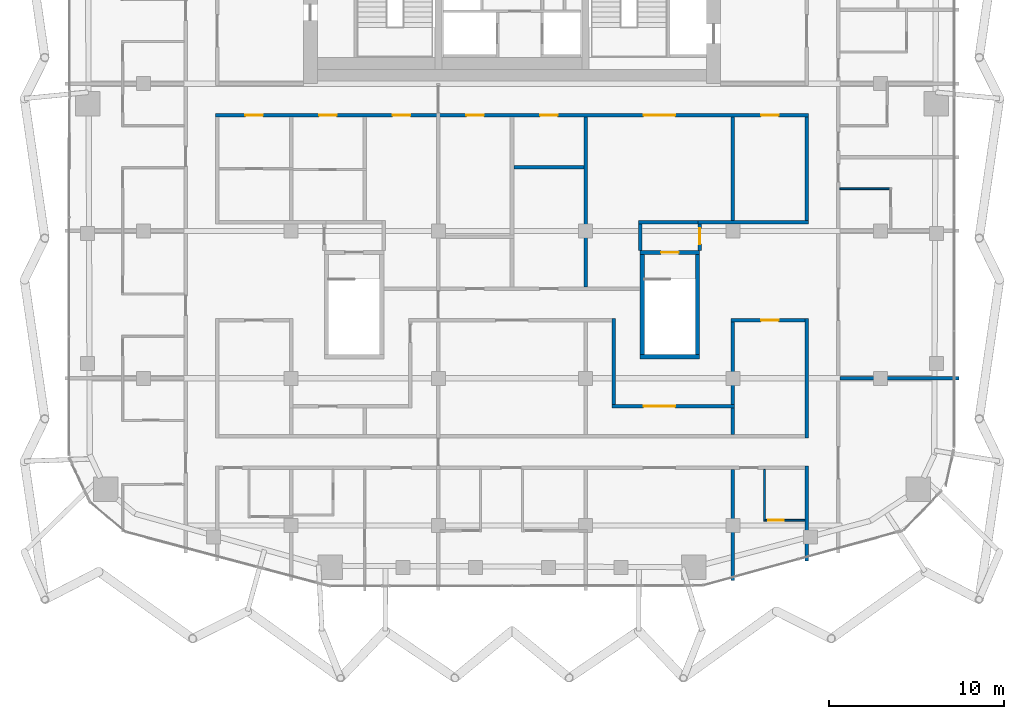
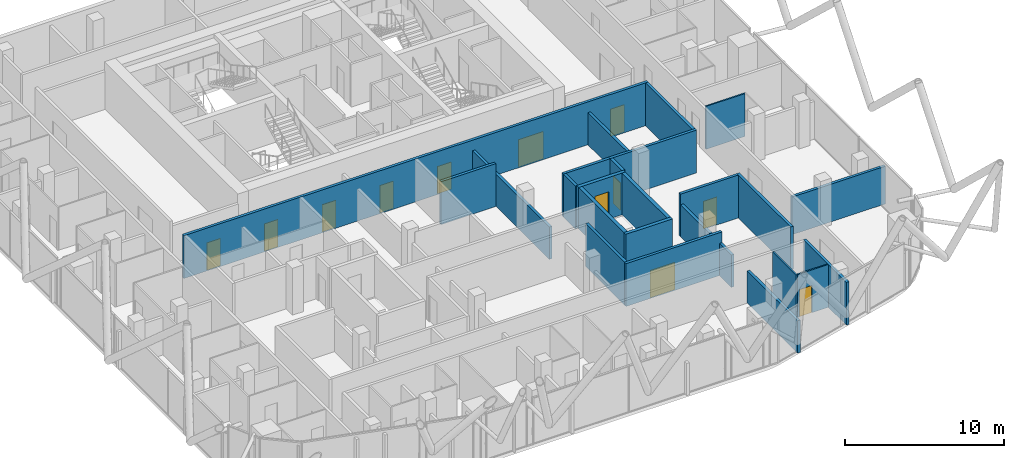
# One storey, part 27 of 33: 25 walls, 12 doors, 12 openings.
"""IFC4 building model written with IfcOpenShell, lengths in metres."""

import ifcopenshell
import ifcopenshell.guid

model = None  # the IFC model being written
_history = None  # IfcOwnerHistory: only IFC2X3 demands one
_inside = {}  # id of a spatial element -> (the spatial element, [elements in it])
_under = {}  # id of a project, library or spatial element -> (it, [spatial elements below it])
_declared = {}  # id of a project -> (the project, [libraries it declares])
_typed = {}  # id of a type object -> (the type object, [elements of that type])
_made_of = {}  # id of a material, layer set ... -> (it, [elements and type objects made of it])


def new_model(schema):
    """Start an empty IFC model of exactly this schema.

    Asked for "IFC4X3", IfcOpenShell would pick the latest addendum, in which some entities
    have other attributes; the version numbers below select the first issue.
    IFC2X3 requires an IfcOwnerHistory on every rooted entity: one is made here for all.
    """
    global model, _history
    if schema == "IFC4X3":
        model = ifcopenshell.file(schema_version=(4, 3, 0, 0))
    else:
        model = ifcopenshell.file(schema=schema)
    _inside.clear()
    _under.clear()
    _declared.clear()
    _typed.clear()
    _made_of.clear()
    _history = None
    if model.schema == "IFC2X3":
        org = make("IfcOrganization", Name="unknown")
        user = make(
            "IfcPersonAndOrganization",
            ThePerson=make("IfcPerson", FamilyName="unknown"),
            TheOrganization=org,
        )
        app = make(
            "IfcApplication",
            ApplicationDeveloper=org,
            Version="unknown",
            ApplicationFullName="unknown",
            ApplicationIdentifier="unknown",
        )
        _history = make(
            "IfcOwnerHistory",
            OwningUser=user,
            OwningApplication=app,
            ChangeAction="ADDED",
            CreationDate=0,
        )
    return model


def make(cls, **values):
    """One entity of the class cls with the attributes given. An attribute that is None is left unset."""
    return model.create_entity(
        cls, **{name: value for name, value in values.items() if value is not None}
    )


def rooted(cls, **values):
    """An entity with a GlobalId (a new one), such as an element, a storey or a relation."""
    return make(cls, GlobalId=ifcopenshell.guid.new(), OwnerHistory=_history, **values)


def si_unit(unit_type, name, prefix=None):
    """IfcSIUnit, for example si_unit("LENGTHUNIT", "METRE", prefix="MILLI")."""
    return make("IfcSIUnit", UnitType=unit_type, Prefix=prefix, Name=name)


def assignment(units):
    """IfcUnitAssignment: the units of a project."""
    return None if units is None else make("IfcUnitAssignment", Units=units)


def point(xyz):
    """IfcCartesianPoint."""
    return None if xyz is None else make("IfcCartesianPoint", Coordinates=xyz)


def direction(xyz):
    """IfcDirection."""
    return None if xyz is None else make("IfcDirection", DirectionRatios=xyz)


def frame(location, z_axis=None, x_axis=None):
    """IfcAxis2Placement3D, a coordinate frame: its origin and axes. An axis left out is left unset."""
    return make(
        "IfcAxis2Placement3D",
        Location=point(location),
        Axis=direction(z_axis),
        RefDirection=direction(x_axis),
    )


def frame_2d(location, x_axis=None):
    """IfcAxis2Placement2D, a coordinate frame in the plane: its origin and x axis."""
    return make(
        "IfcAxis2Placement2D", Location=point(location), RefDirection=direction(x_axis)
    )


def origin():
    """The frame at (0, 0, 0) with its axes left unset."""
    return frame((0.0, 0.0, 0.0))


def place(relative_to, where):
    """IfcLocalPlacement: puts the frame where relative to a parent placement (None: the world)."""
    return make(
        "IfcLocalPlacement", PlacementRelTo=relative_to, RelativePlacement=where
    )


def context(
    kind, dimensions, precision=None, world=None, true_north=None, identifier=None
):
    """IfcGeometricRepresentationContext, for example the 3D "Model" context."""
    return make(
        "IfcGeometricRepresentationContext",
        ContextIdentifier=identifier,
        ContextType=kind,
        CoordinateSpaceDimension=dimensions,
        Precision=precision,
        WorldCoordinateSystem=world,
        TrueNorth=true_north,
    )


def subcontext(parent, identifier, kind, view, scale=None):
    """IfcGeometricRepresentationSubContext, for example "Body" below "Model"."""
    return make(
        "IfcGeometricRepresentationSubContext",
        ContextIdentifier=identifier,
        ContextType=kind,
        ParentContext=parent,
        TargetScale=scale,
        TargetView=view,
    )


def project(units=None, contexts=None):
    """IfcProject with its units and contexts."""
    return rooted(
        "IfcProject",
        Name="project",
        RepresentationContexts=contexts,
        UnitsInContext=assignment(units),
    )


def spatial(cls, under=None, at=None, **own):
    """A site, building, storey or space (cls), placed at a placement, below another one or the project."""
    s = rooted(cls, ObjectPlacement=at, **own)
    if under is not None:
        _under.setdefault(under.id(), (under, []))[1].append(s)
    return s


def profile(cls, at=None, kind="AREA", **sizes):
    """A parametric profile (cls). Its sizes go by their IFC names, for example OverallWidth=200.0."""
    return make(cls, ProfileType=kind, Position=at, **sizes)


def rectangle(**sizes):
    """IfcRectangleProfileDef."""
    return profile("IfcRectangleProfileDef", **sizes)


def extrude(swept, where, along, depth):
    """IfcExtrudedAreaSolid: the profile swept, set in the frame where, extruded along a direction by depth."""
    return make(
        "IfcExtrudedAreaSolid",
        SweptArea=swept,
        Position=where,
        ExtrudedDirection=direction(along),
        Depth=depth,
    )


def shape(context_of_items, identifier, shape_type, items):
    """IfcShapeRepresentation: the items that make up one representation, for example the "Body"."""
    return make(
        "IfcShapeRepresentation",
        ContextOfItems=context_of_items,
        RepresentationIdentifier=identifier,
        RepresentationType=shape_type,
        Items=items,
    )


def material(Name=None, Category=None):
    """IfcMaterial."""
    return make("IfcMaterial", Name=Name, Category=Category)


def layer(
    of_material, thickness, ventilated=None, Name=None, Category=None, Priority=None
):
    """IfcMaterialLayer: one layer of a wall or slab, of a material (None: an air gap)."""
    return make(
        "IfcMaterialLayer",
        Material=of_material,
        LayerThickness=thickness,
        IsVentilated=ventilated,
        Name=Name,
        Category=Category,
        Priority=Priority,
    )


def layer_set(layers, Name=None):
    """IfcMaterialLayerSet."""
    return make("IfcMaterialLayerSet", MaterialLayers=layers, LayerSetName=Name)


def made_of(thing, what):
    """Note that an element or type object is made of a material, layer set ...; save() writes the relation."""
    if what is not None:
        _made_of.setdefault(what.id(), (what, []))[1].append(thing)
    return thing


def type_object(cls, material=None, **own):
    """A type object (cls), such as IfcWallType, which elements share."""
    return made_of(rooted(cls, **own), material)


def element(
    cls,
    number,
    at=None,
    inside=None,
    cuts=None,
    type_object=None,
    material=None,
    context=None,
    identifier="Body",
    shape_type=None,
    held_by="IfcProductDefinitionShape",
    body=None,
    shapes=None,
    **own,
):
    """One element of the class cls, such as IfcWall. Its Tag is "e" and its number.

    at: its placement. inside: the storey or other place that contains it. cuts: it is an
    opening in that element (IfcRelVoidsElement). A single representation is given by context,
    identifier, shape_type and body (its items); several are given by shapes. held_by: the class
    of the entity that holds the representations. save() writes the other relations.
    """
    e = rooted(cls, Tag="e%d" % number, ObjectPlacement=at, **own)
    if body is not None:
        shapes = [shape(context, identifier, shape_type, body)]
    if shapes is not None:
        e.Representation = make(held_by, Representations=shapes)
    if inside is not None:
        _inside.setdefault(inside.id(), (inside, []))[1].append(e)
    if cuts is not None:
        rooted(
            "IfcRelVoidsElement", RelatingBuildingElement=cuts, RelatedOpeningElement=e
        )
    if type_object is not None:
        _typed.setdefault(type_object.id(), (type_object, []))[1].append(e)
    return made_of(e, material)


def fill(opening, filler):
    """IfcRelFillsElement: the door or window that sits in an opening."""
    return rooted(
        "IfcRelFillsElement",
        RelatingOpeningElement=opening,
        RelatedBuildingElement=filler,
    )


def aggregate(whole, parts):
    """IfcRelAggregates: a whole, such as a stair, and the parts it consists of."""
    return rooted("IfcRelAggregates", RelatingObject=whole, RelatedObjects=parts)


def save(model, path):
    """Write the relations noted so far, then the file.

    IfcRelAggregates (storeys below a building ...), IfcRelContainedInSpatialStructure (elements
    in a storey), IfcRelDefinesByType, IfcRelAssociatesMaterial and IfcRelDeclares: one each for
    every whole, place, type object, material and project.
    """
    for whole, parts in _under.values():
        aggregate(whole, parts)
    for where, things in _inside.values():
        rooted(
            "IfcRelContainedInSpatialStructure",
            RelatedElements=things,
            RelatingStructure=where,
        )
    for kind, things in _typed.values():
        rooted("IfcRelDefinesByType", RelatedObjects=things, RelatingType=kind)
    for what, things in _made_of.values():
        rooted("IfcRelAssociatesMaterial", RelatedObjects=things, RelatingMaterial=what)
    for by, libraries in _declared.values():
        rooted("IfcRelDeclares", RelatingContext=by, RelatedDefinitions=libraries)
    model.write(path)


model = new_model("IFC4")

# Units and contexts
model_context = context("Model", 3, precision=1e-05, world=origin(), true_north=direction((0.0, 1.0)))
body_context = subcontext(model_context, "Body", "Model", "MODEL_VIEW")
ifc_project = project(units=[si_unit("LENGTHUNIT", "METRE"), si_unit("AREAUNIT", "SQUARE_METRE"), si_unit("VOLUMEUNIT", "CUBIC_METRE"), si_unit("PLANEANGLEUNIT", "RADIAN"), si_unit("MASSUNIT", "GRAM", prefix="KILO")], contexts=[model_context])

# Site, building, storey
site_placement = place(None, origin())
site = spatial("IfcSite", under=ifc_project, at=site_placement, CompositionType="ELEMENT")
building_placement = place(site_placement, origin())
building = spatial("IfcBuilding", under=site, at=building_placement, Name="Marenta Gate Hotel Tower", CompositionType="ELEMENT")
storey_placement = place(building_placement, frame((0.0, 0.0, 248.89990234375)))
storey = spatial("IfcBuildingStorey", under=building, at=storey_placement, Name="L59", CompositionType="ELEMENT", Elevation=248.89990234375)

# Wall
ifc_material_1 = material(Name="Concrete C40", Category="concrete")
ifc_layer_1 = layer(ifc_material_1, 0.25)
ifc_layer_set_1 = layer_set([ifc_layer_1], Name="Concrete C40")
wall_type_1 = type_object("IfcWallType", Name="Remote stair enclosure wall 250 REI 180", PredefinedType="SHEAR", material=ifc_layer_set_1)
wall_1_placement = place(storey_placement, frame((7.300048828125, -15.574951171875, 0.10009765625), z_axis=(0.0, 0.0, 1.0), x_axis=(1.0, 0.0, 0.0)))
element("IfcWall", 1, at=wall_1_placement, inside=storey, type_object=wall_type_1, Name="L59-RS-Z3-2-W1", PredefinedType="SHEAR", context=body_context, shape_type="SweptSolid", body=[
    extrude(rectangle(XDim=3.39990234375, YDim=0.25, at=frame_2d((1.699951171875, 0.0))), origin(), (0.0, 0.0, 1.0), 3.199951171875),
])

# Wall, opening, door
wall_2_placement = place(storey_placement, frame((7.300048828125, -9.625, 0.10009765625), z_axis=(0.0, 0.0, 1.0), x_axis=(1.0, 0.0, 0.0)))
wall_2 = element("IfcWall", 2, at=wall_2_placement, inside=storey, type_object=wall_type_1, Name="L59-RS-Z3-2-W2", PredefinedType="SHEAR", context=body_context, shape_type="SweptSolid", body=[
    extrude(rectangle(XDim=3.39990234375, YDim=0.25, at=frame_2d((1.699951171875, 0.0))), origin(), (0.0, 0.0, 1.0), 3.199951171875),
])
opening_1_placement = place(wall_2_placement, frame((1.199951171875, 0.0, 0.0)))
opening_1 = element("IfcOpeningElement", 3, at=opening_1_placement, cuts=wall_2, Name="Opening VD", PredefinedType="OPENING", context=body_context, shape_type="SweptSolid", body=[
    extrude(rectangle(XDim=1.0, YDim=2.10009765625, at=frame_2d((0.5, 1.050048828125))), frame((0.0, 0.125, 0.0), z_axis=(0.0, -1.0, 0.0), x_axis=(1.0, 0.0, 0.0)), (0.0, 0.0, 1.0), 0.25),
])
ifc_material_2 = material(Name="Steel", Category="steel")
door_type_1 = type_object("IfcDoorType", Name="Stair vestibule door 1000x2100 FD60", OperationType="SINGLE_SWING_LEFT", PredefinedType="DOOR", material=ifc_material_2)
door_1_placement = place(opening_1_placement, origin())
door_1 = element("IfcDoor", 4, at=door_1_placement, inside=storey, type_object=door_type_1, Name="VD", OperationType="SINGLE_SWING_LEFT", OverallHeight=2.10009765625, OverallWidth=1.0, PredefinedType="DOOR", context=body_context, shape_type="SweptSolid", body=[
    extrude(rectangle(XDim=1.0, YDim=2.10009765625, at=frame_2d((0.5, 1.050048828125))), frame((0.0, 0.02490234375, 0.0), z_axis=(0.0, -1.0, 0.0), x_axis=(1.0, 0.0, 0.0)), (0.0, 0.0, 1.0), 0.050048828125),
])
fill(opening_1, door_1)

# Walls
for number, where, z_axis, x_axis, name in (
    (5, (7.425048828125, -15.449951171875, 0.10009765625), (0.0, 0.0, 1.0), (0.0, 1.0, 0.0), "L59-RS-Z3-2-W3"),
    (6, (10.574951171875, -15.449951171875, 0.10009765625), (0.0, 0.0, 1.0), (0.0, 1.0, 0.0), "L59-RS-Z3-2-W4"),
):
    element("IfcWall", number, at=place(storey_placement, frame(where, z_axis=z_axis, x_axis=x_axis)), inside=storey, type_object=wall_type_1, Name=name, PredefinedType="SHEAR", context=body_context, shape_type="SweptSolid", body=[
        extrude(rectangle(XDim=5.699951171875, YDim=0.25, at=frame_2d((2.85009765625, 0.0))), origin(), (0.0, 0.0, 1.0), 3.199951171875),
    ])

# Wall, openings, doors
ifc_material_3 = material(Name="Concrete blockwork", Category="masonry")
ifc_layer_2 = layer(ifc_material_3, 0.199951171875)
ifc_layer_set_2 = layer_set([ifc_layer_2], Name="Concrete blockwork")
wall_type_2 = type_object("IfcWallType", Name="Room corridor wall 200 EI 120", PredefinedType="PARTITIONING", material=ifc_layer_set_2)
wall_3_placement = place(storey_placement, frame((-16.89990234375, -1.800048828125, 0.0), z_axis=(0.0, 0.0, 1.0), x_axis=(1.0, 0.0, 0.0)))
wall_3 = element("IfcWall", 7, at=wall_3_placement, inside=storey, type_object=wall_type_2, Name="L59-PTN-W061", PredefinedType="PARTITIONING", context=body_context, shape_type="SweptSolid", body=[
    extrude(rectangle(XDim=33.7998046875, YDim=0.199951171875, at=frame_2d((16.89990234375, 0.0))), origin(), (0.0, 0.0, 1.0), 3.300048828125),
])
opening_2_placement = place(wall_3_placement, frame((1.699951171875, 0.0, 0.0)))
opening_2 = element("IfcOpeningElement", 8, at=opening_2_placement, cuts=wall_3, Name="Opening G21-01", PredefinedType="OPENING", context=body_context, shape_type="SweptSolid", body=[
    extrude(rectangle(XDim=1.0, YDim=2.10009765625, at=frame_2d((0.5, 1.050048828125))), frame((0.0, 0.10009765625, 0.0), z_axis=(0.0, -1.0, 0.0), x_axis=(1.0, 0.0, 0.0)), (0.0, 0.0, 1.0), 0.199951171875),
])
opening_3_placement = place(wall_3_placement, frame((5.89990234375, 0.0, 0.0)))
opening_3 = element("IfcOpeningElement", 9, at=opening_3_placement, cuts=wall_3, Name="Opening G21-03", PredefinedType="OPENING", context=body_context, shape_type="SweptSolid", body=[
    extrude(rectangle(XDim=1.0, YDim=2.10009765625, at=frame_2d((0.5, 1.050048828125))), frame((0.0, 0.10009765625, 0.0), z_axis=(0.0, -1.0, 0.0), x_axis=(1.0, 0.0, 0.0)), (0.0, 0.0, 1.0), 0.199951171875),
])
opening_4_placement = place(wall_3_placement, frame((10.10009765625, 0.0, 0.0)))
opening_4 = element("IfcOpeningElement", 10, at=opening_4_placement, cuts=wall_3, Name="Opening G21-05", PredefinedType="OPENING", context=body_context, shape_type="SweptSolid", body=[
    extrude(rectangle(XDim=1.0, YDim=2.10009765625, at=frame_2d((0.5, 1.050048828125))), frame((0.0, 0.10009765625, 0.0), z_axis=(0.0, -1.0, 0.0), x_axis=(1.0, 0.0, 0.0)), (0.0, 0.0, 1.0), 0.199951171875),
])
opening_5_placement = place(wall_3_placement, frame((24.39990234375, 0.0, 0.0)))
opening_5 = element("IfcOpeningElement", 11, at=opening_5_placement, cuts=wall_3, Name="Opening G21-06", PredefinedType="OPENING", context=body_context, shape_type="SweptSolid", body=[
    extrude(rectangle(XDim=1.800048828125, YDim=2.10009765625, at=frame_2d((0.89990234375, 1.050048828125))), frame((0.0, 0.10009765625, 0.0), z_axis=(0.0, -1.0, 0.0), x_axis=(1.0, 0.0, 0.0)), (0.0, 0.0, 1.0), 0.199951171875),
])
opening_6_placement = place(wall_3_placement, frame((31.10009765625, 0.0, 0.0)))
opening_6 = element("IfcOpeningElement", 12, at=opening_6_placement, cuts=wall_3, Name="Opening G21-07", PredefinedType="OPENING", context=body_context, shape_type="SweptSolid", body=[
    extrude(rectangle(XDim=1.0, YDim=2.10009765625, at=frame_2d((0.5, 1.050048828125))), frame((0.0, 0.10009765625, 0.0), z_axis=(0.0, -1.0, 0.0), x_axis=(1.0, 0.0, 0.0)), (0.0, 0.0, 1.0), 0.199951171875),
])
opening_7_placement = place(wall_3_placement, frame((14.300048828125, 0.0, 0.0)))
opening_7 = element("IfcOpeningElement", 13, at=opening_7_placement, cuts=wall_3, Name="Opening G21-64", PredefinedType="OPENING", context=body_context, shape_type="SweptSolid", body=[
    extrude(rectangle(XDim=1.0, YDim=2.10009765625, at=frame_2d((0.5, 1.050048828125))), frame((0.0, 0.10009765625, 0.0), z_axis=(0.0, -1.0, 0.0), x_axis=(1.0, 0.0, 0.0)), (0.0, 0.0, 1.0), 0.199951171875),
])
opening_8_placement = place(wall_3_placement, frame((18.5, 0.0, 0.0)))
opening_8 = element("IfcOpeningElement", 14, at=opening_8_placement, cuts=wall_3, Name="Opening G21-68", PredefinedType="OPENING", context=body_context, shape_type="SweptSolid", body=[
    extrude(rectangle(XDim=1.0, YDim=2.10009765625, at=frame_2d((0.5, 1.050048828125))), frame((0.0, 0.10009765625, 0.0), z_axis=(0.0, -1.0, 0.0), x_axis=(1.0, 0.0, 0.0)), (0.0, 0.0, 1.0), 0.199951171875),
])
ifc_material_4 = material(Name="Timber door leaf", Category="wood")
door_type_2 = type_object("IfcDoorType", Name="Room amenity door 1000x2100 EI 60", OperationType="NOTDEFINED", PredefinedType="DOOR", material=ifc_material_4)
door_2_placement = place(opening_4_placement, origin())
door_2 = element("IfcDoor", 15, at=door_2_placement, inside=storey, type_object=door_type_2, Name="L59-PD-D005", OperationType="SINGLE_SWING_RIGHT", OverallHeight=2.10009765625, OverallWidth=1.0, PredefinedType="DOOR", context=body_context, shape_type="SweptSolid", body=[
    extrude(rectangle(XDim=1.0, YDim=2.10009765625, at=frame_2d((0.5, 1.050048828125))), frame((0.0, 0.02490234375, 0.0), z_axis=(0.0, -1.0, 0.0), x_axis=(1.0, 0.0, 0.0)), (0.0, 0.0, 1.0), 0.050048828125),
])
fill(opening_4, door_2)
door_3_placement = place(opening_6_placement, origin())
door_3 = element("IfcDoor", 16, at=door_3_placement, inside=storey, type_object=door_type_2, Name="L59-PD-D007", OperationType="SINGLE_SWING_RIGHT", OverallHeight=2.10009765625, OverallWidth=1.0, PredefinedType="DOOR", context=body_context, shape_type="SweptSolid", body=[
    extrude(rectangle(XDim=1.0, YDim=2.10009765625, at=frame_2d((0.5, 1.050048828125))), frame((0.0, 0.02490234375, 0.0), z_axis=(0.0, -1.0, 0.0), x_axis=(1.0, 0.0, 0.0)), (0.0, 0.0, 1.0), 0.050048828125),
])
fill(opening_6, door_3)
door_4_placement = place(opening_7_placement, origin())
door_4 = element("IfcDoor", 17, at=door_4_placement, inside=storey, type_object=door_type_2, Name="L59-PD-D064", OperationType="SINGLE_SWING_LEFT", OverallHeight=2.10009765625, OverallWidth=1.0, PredefinedType="DOOR", context=body_context, shape_type="SweptSolid", body=[
    extrude(rectangle(XDim=1.0, YDim=2.10009765625, at=frame_2d((0.5, 1.050048828125))), frame((0.0, 0.02490234375, 0.0), z_axis=(0.0, -1.0, 0.0), x_axis=(1.0, 0.0, 0.0)), (0.0, 0.0, 1.0), 0.050048828125),
])
fill(opening_7, door_4)
door_5_placement = place(opening_8_placement, origin())
door_5 = element("IfcDoor", 18, at=door_5_placement, inside=storey, type_object=door_type_2, Name="L59-PD-D068", OperationType="SINGLE_SWING_LEFT", OverallHeight=2.10009765625, OverallWidth=1.0, PredefinedType="DOOR", context=body_context, shape_type="SweptSolid", body=[
    extrude(rectangle(XDim=1.0, YDim=2.10009765625, at=frame_2d((0.5, 1.050048828125))), frame((0.0, 0.02490234375, 0.0), z_axis=(0.0, -1.0, 0.0), x_axis=(1.0, 0.0, 0.0)), (0.0, 0.0, 1.0), 0.050048828125),
])
fill(opening_8, door_5)
ifc_material_5 = material(Name="Timber door leaf", Category="wood")
door_type_3 = type_object("IfcDoorType", Name="Room amenity door 1800x2100 EI 60", OperationType="DOUBLE_DOOR_SINGLE_SWING", PredefinedType="DOOR", material=ifc_material_5)
door_6_placement = place(opening_5_placement, origin())
door_6 = element("IfcDoor", 19, at=door_6_placement, inside=storey, type_object=door_type_3, Name="L59-PD-D006", OperationType="DOUBLE_DOOR_SINGLE_SWING", OverallHeight=2.10009765625, OverallWidth=1.800048828125, PredefinedType="DOOR", context=body_context, shape_type="SweptSolid", body=[
    extrude(rectangle(XDim=1.800048828125, YDim=2.10009765625, at=frame_2d((0.89990234375, 1.050048828125))), frame((0.0, 0.02490234375, 0.0), z_axis=(0.0, -1.0, 0.0), x_axis=(1.0, 0.0, 0.0)), (0.0, 0.0, 1.0), 0.050048828125),
])
fill(opening_5, door_6)
ifc_material_6 = material(Name="Hollow steel door set", Category="steel")
door_type_4 = type_object("IfcDoorType", Name="Room service door 1000x2100 EI 60", OperationType="NOTDEFINED", PredefinedType="DOOR", material=ifc_material_6)
door_7_placement = place(opening_2_placement, origin())
door_7 = element("IfcDoor", 20, at=door_7_placement, inside=storey, type_object=door_type_4, Name="L59-PD-D001", OperationType="SINGLE_SWING_LEFT", OverallHeight=2.10009765625, OverallWidth=1.0, PredefinedType="DOOR", context=body_context, shape_type="SweptSolid", body=[
    extrude(rectangle(XDim=1.0, YDim=2.10009765625, at=frame_2d((0.5, 1.050048828125))), frame((0.0, 0.02490234375, 0.0), z_axis=(0.0, -1.0, 0.0), x_axis=(1.0, 0.0, 0.0)), (0.0, 0.0, 1.0), 0.050048828125),
])
fill(opening_2, door_7)
door_8_placement = place(opening_3_placement, origin())
door_8 = element("IfcDoor", 21, at=door_8_placement, inside=storey, type_object=door_type_4, Name="L59-PD-D003", OperationType="SINGLE_SWING_LEFT", OverallHeight=2.10009765625, OverallWidth=1.0, PredefinedType="DOOR", context=body_context, shape_type="SweptSolid", body=[
    extrude(rectangle(XDim=1.0, YDim=2.10009765625, at=frame_2d((0.5, 1.050048828125))), frame((0.0, 0.02490234375, 0.0), z_axis=(0.0, -1.0, 0.0), x_axis=(1.0, 0.0, 0.0)), (0.0, 0.0, 1.0), 0.050048828125),
])
fill(opening_3, door_8)

# Wall, opening, door
ifc_material_7 = material(Name="Gypsum board on steel stud", Category="steel")
ifc_layer_3 = layer(ifc_material_7, 0.199951171875)
ifc_layer_set_3 = layer_set([ifc_layer_3], Name="Gypsum board on steel stud")
wall_type_3 = type_object("IfcWallType", Name="Room corridor wall 200 EI 60", PredefinedType="PARTITIONING", material=ifc_layer_set_3)
wall_4_placement = place(storey_placement, frame((5.699951171875, -18.39990234375, 0.0), z_axis=(0.0, 0.0, 1.0), x_axis=(1.0, 0.0, 0.0)))
wall_4 = element("IfcWall", 22, at=wall_4_placement, inside=storey, type_object=wall_type_3, Name="L59-PTN-W019", PredefinedType="PARTITIONING", context=body_context, shape_type="SweptSolid", body=[
    extrude(rectangle(XDim=7.0, YDim=0.199951171875, at=frame_2d((3.5, 0.0))), origin(), (0.0, 0.0, 1.0), 3.300048828125),
])
opening_9_placement = place(wall_4_placement, frame((1.800048828125, 0.0, 0.0)))
opening_9 = element("IfcOpeningElement", 23, at=opening_9_placement, cuts=wall_4, Name="Opening G21-12", PredefinedType="OPENING", context=body_context, shape_type="SweptSolid", body=[
    extrude(rectangle(XDim=1.800048828125, YDim=2.10009765625, at=frame_2d((0.89990234375, 1.050048828125))), frame((0.0, 0.10009765625, 0.0), z_axis=(0.0, -1.0, 0.0), x_axis=(1.0, 0.0, 0.0)), (0.0, 0.0, 1.0), 0.199951171875),
])
ifc_material_8 = material(Name="Timber door leaf", Category="wood")
door_type_5 = type_object("IfcDoorType", Name="Room amenity door 1800x2100 EI 30", OperationType="DOUBLE_DOOR_SINGLE_SWING", PredefinedType="DOOR", material=ifc_material_8)
door_9_placement = place(opening_9_placement, origin())
door_9 = element("IfcDoor", 24, at=door_9_placement, inside=storey, type_object=door_type_5, Name="L59-PD-D012", OperationType="DOUBLE_DOOR_SINGLE_SWING", OverallHeight=2.10009765625, OverallWidth=1.800048828125, PredefinedType="DOOR", context=body_context, shape_type="SweptSolid", body=[
    extrude(rectangle(XDim=1.800048828125, YDim=2.10009765625, at=frame_2d((0.89990234375, 1.050048828125))), frame((0.0, 0.02490234375, 0.0), z_axis=(0.0, -1.0, 0.0), x_axis=(1.0, 0.0, 0.0)), (0.0, 0.0, 1.0), 0.050048828125),
])
fill(opening_9, door_9)

# Walls
wall_5_placement = place(storey_placement, frame((16.800048828125, -27.22900390625, 0.0), z_axis=(0.0, 0.0, 1.0), x_axis=(0.0, 1.0, 0.0)))
element("IfcWall", 25, at=wall_5_placement, inside=storey, type_object=wall_type_3, Name="L59-PTN-W020", PredefinedType="PARTITIONING", context=body_context, shape_type="SweptSolid", body=[
    extrude(rectangle(XDim=5.428955078125, YDim=0.199951171875, at=frame_2d((2.71435546875, 0.0))), origin(), (0.0, 0.0, 1.0), 3.300048828125),
])
wall_6_placement = place(storey_placement, frame((16.800048828125, -20.199951171875, 0.0), z_axis=(0.0, 0.0, 1.0), x_axis=(0.0, 1.0, 0.0)))
element("IfcWall", 26, at=wall_6_placement, inside=storey, type_object=wall_type_3, Name="L59-PTN-W021", PredefinedType="PARTITIONING", context=body_context, shape_type="SweptSolid", body=[
    extrude(rectangle(XDim=6.800048828125, YDim=0.199951171875, at=frame_2d((3.39990234375, 0.0))), origin(), (0.0, 0.0, 1.0), 3.300048828125),
])
wall_7_placement = place(storey_placement, frame((16.800048828125, -7.800048828125, 0.0), z_axis=(0.0, 0.0, 1.0), x_axis=(0.0, 1.0, 0.0)))
element("IfcWall", 27, at=wall_7_placement, inside=storey, type_object=wall_type_3, Name="L59-PTN-W022", PredefinedType="PARTITIONING", context=body_context, shape_type="SweptSolid", body=[
    extrude(rectangle(XDim=5.900146484375, YDim=0.199951171875, at=frame_2d((2.9501953125, 0.0))), origin(), (0.0, 0.0, 1.0), 3.300048828125),
])

# Wall, opening, door
wall_8_placement = place(storey_placement, frame((12.5, -13.5, 0.0), z_axis=(0.0, 0.0, 1.0), x_axis=(1.0, 0.0, 0.0)))
wall_8 = element("IfcWall", 28, at=wall_8_placement, inside=storey, type_object=wall_type_3, Name="L59-PTN-W030", PredefinedType="PARTITIONING", context=body_context, shape_type="SweptSolid", body=[
    extrude(rectangle(XDim=4.199951171875, YDim=0.199951171875, at=frame_2d((2.10009765625, 0.0))), origin(), (0.0, 0.0, 1.0), 3.300048828125),
])
opening_10_placement = place(wall_8_placement, frame((1.699951171875, 0.0, 0.0)))
opening_10 = element("IfcOpeningElement", 29, at=opening_10_placement, cuts=wall_8, Name="Opening G21-13", PredefinedType="OPENING", context=body_context, shape_type="SweptSolid", body=[
    extrude(rectangle(XDim=1.0, YDim=2.10009765625, at=frame_2d((0.5, 1.050048828125))), frame((0.0, 0.10009765625, 0.0), z_axis=(0.0, -1.0, 0.0), x_axis=(1.0, 0.0, 0.0)), (0.0, 0.0, 1.0), 0.199951171875),
])
ifc_material_9 = material(Name="Timber door leaf", Category="wood")
door_type_6 = type_object("IfcDoorType", Name="Room amenity door 1000x2100 EI 30", OperationType="NOTDEFINED", PredefinedType="DOOR", material=ifc_material_9)
door_10_placement = place(opening_10_placement, origin())
door_10 = element("IfcDoor", 30, at=door_10_placement, inside=storey, type_object=door_type_6, Name="L59-PD-D013", OperationType="SINGLE_SWING_LEFT", OverallHeight=2.10009765625, OverallWidth=1.0, PredefinedType="DOOR", context=body_context, shape_type="SweptSolid", body=[
    extrude(rectangle(XDim=1.0, YDim=2.10009765625, at=frame_2d((0.5, 1.050048828125))), frame((0.0, 0.02490234375, 0.0), z_axis=(0.0, -1.0, 0.0), x_axis=(1.0, 0.0, 0.0)), (0.0, 0.0, 1.0), 0.050048828125),
])
fill(opening_10, door_10)

# Walls
wall_9_placement = place(storey_placement, frame((12.60009765625, -18.300048828125, 0.0), z_axis=(0.0, 0.0, 1.0), x_axis=(0.0, 1.0, 0.0)))
element("IfcWall", 31, at=wall_9_placement, inside=storey, type_object=wall_type_3, Name="L59-PTN-W035", PredefinedType="PARTITIONING", context=body_context, shape_type="SweptSolid", body=[
    extrude(rectangle(XDim=4.699951171875, YDim=0.199951171875, at=frame_2d((2.35009765625, 0.0))), origin(), (0.0, 0.0, 1.0), 2.486083984375),
])
wall_10_placement = place(storey_placement, frame((10.60009765625, -7.89990234375, 0.0), z_axis=(0.0, 0.0, 1.0), x_axis=(1.0, 0.0, 0.0)))
element("IfcWall", 32, at=wall_10_placement, inside=storey, type_object=wall_type_3, Name="L59-PTN-W044", PredefinedType="PARTITIONING", context=body_context, shape_type="SweptSolid", body=[
    extrude(rectangle(XDim=6.2998046875, YDim=0.199951171875, at=frame_2d((3.14990234375, 0.0))), origin(), (0.0, 0.0, 1.0), 3.300048828125),
])
wall_11_placement = place(storey_placement, frame((5.800048828125, -18.300048828125, 0.0), z_axis=(0.0, 0.0, 1.0), x_axis=(0.0, 1.0, 0.0)))
element("IfcWall", 33, at=wall_11_placement, inside=storey, type_object=wall_type_3, Name="L59-PTN-W049", PredefinedType="PARTITIONING", context=body_context, shape_type="SweptSolid", body=[
    extrude(rectangle(XDim=4.900146484375, YDim=0.199951171875, at=frame_2d((2.4501953125, 0.0))), origin(), (0.0, 0.0, 1.0), 3.300048828125),
])

# Wall, opening, door
ifc_material_10 = material(Name="Concrete blockwork", Category="masonry")
ifc_layer_4 = layer(ifc_material_10, 0.199951171875)
ifc_layer_set_4 = layer_set([ifc_layer_4], Name="Concrete blockwork")
wall_type_4 = type_object("IfcWallType", Name="Room corridor wall 200 REI 180", PredefinedType="PARTITIONING", material=ifc_layer_set_4)
wall_12_placement = place(storey_placement, frame((10.699951171875, -9.5, 0.0), z_axis=(0.0, 0.0, 1.0), x_axis=(0.0, 1.0, 0.0)))
wall_12 = element("IfcWall", 34, at=wall_12_placement, inside=storey, type_object=wall_type_4, Name="L59-PTN-W038", PredefinedType="PARTITIONING", context=body_context, shape_type="SweptSolid", body=[
    extrude(rectangle(XDim=1.5, YDim=0.199951171875, at=frame_2d((0.75, 0.0))), origin(), (0.0, 0.0, 1.0), 3.300048828125),
])
opening_11_placement = place(wall_12_placement, frame((0.35009765625, 0.0, 0.0)))
opening_11 = element("IfcOpeningElement", 35, at=opening_11_placement, cuts=wall_12, Name="Opening G21-62", PredefinedType="OPENING", context=body_context, shape_type="SweptSolid", body=[
    extrude(rectangle(XDim=0.89990234375, YDim=2.10009765625, at=frame_2d((0.449951171875, 1.050048828125))), frame((0.0, 0.10009765625, 0.0), z_axis=(0.0, -1.0, 0.0), x_axis=(1.0, 0.0, 0.0)), (0.0, 0.0, 1.0), 0.199951171875),
])
ifc_material_11 = material(Name="Hollow steel door set", Category="steel")
door_type_7 = type_object("IfcDoorType", Name="Stair vestibule door 900x2100 EI 60", OperationType="NOTDEFINED", PredefinedType="DOOR", material=ifc_material_11)
door_11_placement = place(opening_11_placement, origin())
door_11 = element("IfcDoor", 36, at=door_11_placement, inside=storey, type_object=door_type_7, Name="L59-PD-D062", OperationType="SINGLE_SWING_RIGHT", OverallHeight=2.10009765625, OverallWidth=0.89990234375, PredefinedType="DOOR", context=body_context, shape_type="SweptSolid", body=[
    extrude(rectangle(XDim=0.89990234375, YDim=2.10009765625, at=frame_2d((0.449951171875, 1.050048828125))), frame((0.0, 0.02490234375, 0.0), z_axis=(0.0, -1.0, 0.0), x_axis=(1.0, 0.0, 0.0)), (0.0, 0.0, 1.0), 0.050048828125),
])
fill(opening_11, door_11)

ifc_material_12 = material(Name="Gypsum board on steel stud", Category="steel")
ifc_layer_5 = layer(ifc_material_12, 0.10009765625)
ifc_layer_set_5 = layer_set([ifc_layer_5], Name="Gypsum board on steel stud")
wall_type_5 = type_object("IfcWallType", Name="Room partition 100", PredefinedType="PARTITIONING", material=ifc_layer_set_5)
wall_13_placement = place(storey_placement, frame((14.449951171875, -24.89990234375, 0.0), z_axis=(0.0, 0.0, 1.0), x_axis=(1.0, 0.0, 0.0)))
wall_13 = element("IfcWall", 37, at=wall_13_placement, inside=storey, type_object=wall_type_5, Name="L59-PTN-W003", PredefinedType="PARTITIONING", context=body_context, shape_type="SweptSolid", body=[
    extrude(rectangle(XDim=2.25, YDim=0.10009765625, at=frame_2d((1.125, 0.0))), origin(), (0.0, 0.0, 1.0), 3.300048828125),
])
opening_12_placement = place(wall_13_placement, frame((0.14990234375, 0.0, 0.0)))
opening_12 = element("IfcOpeningElement", 38, at=opening_12_placement, cuts=wall_13, Name="Opening G21-43", PredefinedType="OPENING", context=body_context, shape_type="SweptSolid", body=[
    extrude(rectangle(XDim=0.89990234375, YDim=2.10009765625, at=frame_2d((0.449951171875, 1.050048828125))), frame((0.0, 0.050048828125, 0.0), z_axis=(0.0, -1.0, 0.0), x_axis=(1.0, 0.0, 0.0)), (0.0, 0.0, 1.0), 0.10009765625),
])
ifc_material_13 = material(Name="Timber door leaf", Category="wood")
door_type_8 = type_object("IfcDoorType", Name="Guest bathroom door 900x2100", OperationType="NOTDEFINED", PredefinedType="DOOR", material=ifc_material_13)
door_12_placement = place(opening_12_placement, origin())
door_12 = element("IfcDoor", 39, at=door_12_placement, inside=storey, type_object=door_type_8, Name="L59-PD-D043", OperationType="SINGLE_SWING_LEFT", OverallHeight=2.10009765625, OverallWidth=0.89990234375, PredefinedType="DOOR", context=body_context, shape_type="SweptSolid", body=[
    extrude(rectangle(XDim=0.89990234375, YDim=2.10009765625, at=frame_2d((0.449951171875, 1.050048828125))), frame((0.0, 0.02490234375, 0.0), z_axis=(0.0, -1.0, 0.0), x_axis=(1.0, 0.0, 0.0)), (0.0, 0.0, 1.0), 0.050048828125),
])
fill(opening_12, door_12)

# Walls
wall_14_placement = place(storey_placement, frame((14.39990234375, -24.949951171875, 0.0), z_axis=(0.0, 0.0, 1.0), x_axis=(0.0, 1.0, 0.0)))
element("IfcWall", 40, at=wall_14_placement, inside=storey, type_object=wall_type_5, Name="L59-PTN-W026", PredefinedType="PARTITIONING", context=body_context, shape_type="SweptSolid", body=[
    extrude(rectangle(XDim=2.949951171875, YDim=0.10009765625, at=frame_2d((1.47509765625, 0.0))), origin(), (0.0, 0.0, 1.0), 3.300048828125),
])
wall_15_placement = place(storey_placement, frame((18.699951171875, -6.0, 0.0), z_axis=(0.0, 0.0, 1.0), x_axis=(1.0, 0.0, 0.0)))
element("IfcWall", 41, at=wall_15_placement, inside=storey, type_object=wall_type_5, Name="L59-PTN-W048", PredefinedType="PARTITIONING", context=body_context, shape_type="SweptSolid", body=[
    extrude(rectangle(XDim=2.85009765625, YDim=0.10009765625, at=frame_2d((1.425048828125, 0.0))), origin(), (0.0, 0.0, 1.0), 3.300048828125),
])
ifc_material_14 = material(Name="Gypsum board on steel stud", Category="steel")
ifc_layer_6 = layer(ifc_material_14, 0.199951171875)
ifc_layer_set_6 = layer_set([ifc_layer_6], Name="Gypsum board on steel stud")
wall_type_6 = type_object("IfcWallType", Name="Room party wall 200 EI 60", PredefinedType="PARTITIONING", material=ifc_layer_set_6)
wall_16_placement = place(storey_placement, frame((18.699951171875, -16.800048828125, 0.0), z_axis=(0.0, 0.0, 1.0), x_axis=(1.0, 0.0, 0.0)))
element("IfcWall", 42, at=wall_16_placement, inside=storey, type_object=wall_type_6, Name="L59-PTN-W025", PredefinedType="PARTITIONING", context=body_context, shape_type="SweptSolid", body=[
    extrude(rectangle(XDim=6.800048828125, YDim=0.199951171875, at=frame_2d((3.39990234375, 0.0))), origin(), (0.0, 0.0, 1.0), 2.900146484375),
])
wall_17_placement = place(storey_placement, frame((12.60009765625, -28.343017578125, 0.0), z_axis=(0.0, 0.0, 1.0), x_axis=(0.0, 1.0, 0.0)))
element("IfcWall", 43, at=wall_17_placement, inside=storey, type_object=wall_type_6, Name="L59-PTN-W031", PredefinedType="PARTITIONING", context=body_context, shape_type="SweptSolid", body=[
    extrude(rectangle(XDim=6.343017578125, YDim=0.199951171875, at=frame_2d((3.17138671875, 0.0))), origin(), (0.0, 0.0, 1.0), 2.486083984375),
])
wall_18_placement = place(storey_placement, frame((12.60009765625, -20.0, 0.0), z_axis=(0.0, 0.0, 1.0), x_axis=(0.0, 1.0, 0.0)))
element("IfcWall", 44, at=wall_18_placement, inside=storey, type_object=wall_type_6, Name="L59-PTN-W032", PredefinedType="PARTITIONING", context=body_context, shape_type="SweptSolid", body=[
    extrude(rectangle(XDim=1.5, YDim=0.199951171875, at=frame_2d((0.75, 0.0))), origin(), (0.0, 0.0, 1.0), 2.486083984375),
])
wall_19_placement = place(storey_placement, frame((12.60009765625, -7.800048828125, 0.0), z_axis=(0.0, 0.0, 1.0), x_axis=(0.0, 1.0, 0.0)))
element("IfcWall", 45, at=wall_19_placement, inside=storey, type_object=wall_type_6, Name="L59-PTN-W033", PredefinedType="PARTITIONING", context=body_context, shape_type="SweptSolid", body=[
    extrude(rectangle(XDim=5.900146484375, YDim=0.199951171875, at=frame_2d((2.9501953125, 0.0))), origin(), (0.0, 0.0, 1.0), 2.486083984375),
])
wall_20_placement = place(storey_placement, frame((0.10009765625, -4.77001953125, 0.0), z_axis=(0.0, 0.0, 1.0), x_axis=(1.0, 0.0, 0.0)))
element("IfcWall", 46, at=wall_20_placement, inside=storey, type_object=wall_type_6, Name="L59-PTN-W053", PredefinedType="PARTITIONING", context=body_context, shape_type="SweptSolid", body=[
    extrude(rectangle(XDim=4.0, YDim=0.199951171875, at=frame_2d((2.0, 0.0))), origin(), (0.0, 0.0, 1.0), 3.300048828125),
])
wall_21_placement = place(storey_placement, frame((4.199951171875, -11.60009765625, 0.0), z_axis=(0.0, 0.0, 1.0), x_axis=(0.0, 1.0, 0.0)))
element("IfcWall", 47, at=wall_21_placement, inside=storey, type_object=wall_type_6, Name="L59-PTN-W056", PredefinedType="PARTITIONING", context=body_context, shape_type="SweptSolid", body=[
    extrude(rectangle(XDim=9.7001953125, YDim=0.199951171875, at=frame_2d((4.85009765625, 0.0))), origin(), (0.0, 0.0, 1.0), 2.486083984375),
])
ifc_material_15 = material(Name="Concrete blockwork", Category="masonry")
ifc_layer_7 = layer(ifc_material_15, 0.199951171875)
ifc_layer_set_7 = layer_set([ifc_layer_7], Name="Concrete blockwork")
wall_type_7 = type_object("IfcWallType", Name="Room party wall 200 REI 180", PredefinedType="PARTITIONING", material=ifc_layer_set_7)
wall_22_placement = place(storey_placement, frame((7.199951171875, -7.89990234375, 0.0), z_axis=(0.0, 0.0, 1.0), x_axis=(1.0, 0.0, 0.0)))
element("IfcWall", 48, at=wall_22_placement, inside=storey, type_object=wall_type_7, Name="L59-PTN-W046", PredefinedType="PARTITIONING", context=body_context, shape_type="SweptSolid", body=[
    extrude(rectangle(XDim=3.400146484375, YDim=0.199951171875, at=frame_2d((1.7001953125, 0.0))), origin(), (0.0, 0.0, 1.0), 3.300048828125),
])
wall_23_placement = place(storey_placement, frame((7.300048828125, -9.5, 0.0), z_axis=(0.0, 0.0, 1.0), x_axis=(0.0, 1.0, 0.0)))
element("IfcWall", 49, at=wall_23_placement, inside=storey, type_object=wall_type_7, Name="L59-PTN-W047", PredefinedType="PARTITIONING", context=body_context, shape_type="SweptSolid", body=[
    extrude(rectangle(XDim=1.5, YDim=0.199951171875, at=frame_2d((0.75, 0.0))), origin(), (0.0, 0.0, 1.0), 3.300048828125),
])

save(model, "model.ifc")
